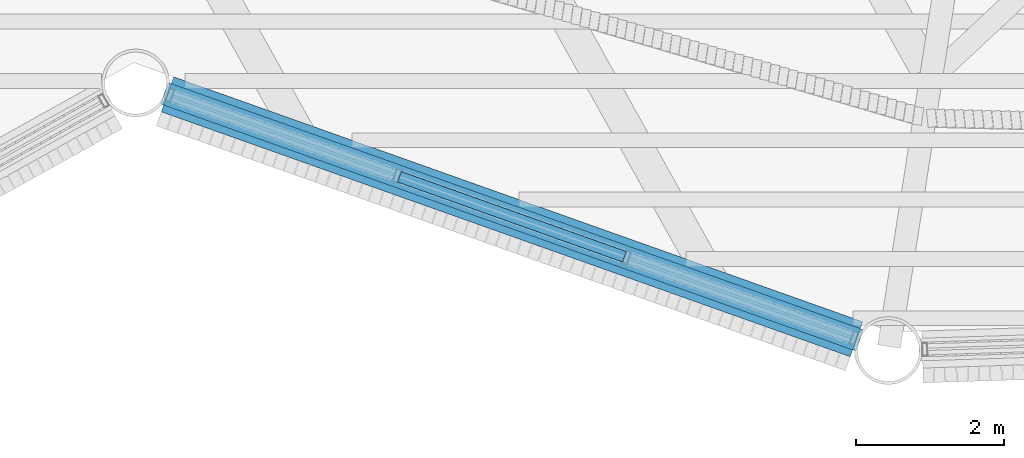
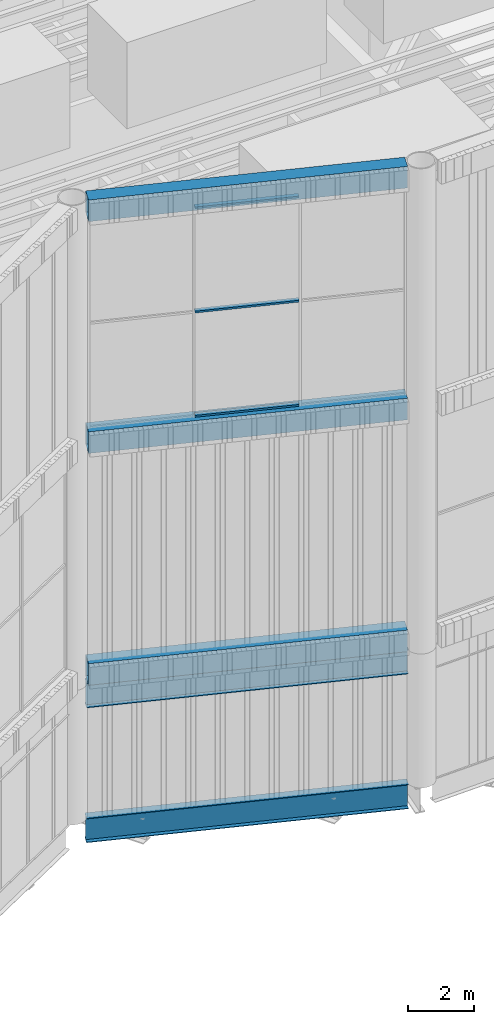
# One storey, part 25 of 117: 5 beams, 3 members, 1 element without a shape of its own.
"""IFC4 building model written with IfcOpenShell, lengths in metres."""

from ifc_helpers import new_model, si_unit, direction, frame, origin, origin_2d, place, context, subcontext, project, spatial, hollow_rectangle, i_section, extrude, material, layer, layer_set, material_profile, profile_set, type_object, element, aggregate, save


model = new_model("IFC4")

# Units and contexts
model_context = context("Model", 3, precision=1e-05, world=origin(), true_north=direction((0.0, 1.0)))
body_context = subcontext(model_context, "Body", "Model", "MODEL_VIEW")
ifc_project = project(units=[si_unit("LENGTHUNIT", "METRE"), si_unit("AREAUNIT", "SQUARE_METRE"), si_unit("VOLUMEUNIT", "CUBIC_METRE"), si_unit("PLANEANGLEUNIT", "RADIAN"), si_unit("MASSUNIT", "GRAM", prefix="KILO")], contexts=[model_context])

# Site, building, storey
site_placement = place(None, origin())
site = spatial("IfcSite", under=ifc_project, at=site_placement, CompositionType="ELEMENT")
building_placement = place(site_placement, origin())
building = spatial("IfcBuilding", under=site, at=building_placement, Name="Tarsis Ring Headquarters", CompositionType="ELEMENT")
storey_placement = place(building_placement, frame((0.0, 0.0, 403.60009765625)))
storey = spatial("IfcBuildingStorey", under=building, at=storey_placement, Name="L95", CompositionType="ELEMENT", Elevation=403.60009765625)

# Beams
ifc_material_1 = material(Name="Structural steel S355", Category="steel")
ifc_material_profile_1 = material_profile(ifc_material_1, hollow_rectangle(XDim=0.5, YDim=0.800048828125, WallThickness=0.030029296875, at=origin_2d()), Name="RHS 800x500x30")
ifc_profile_set_1 = profile_set([ifc_material_profile_1], Name="Structural steel S355")
beam_type_1 = type_object("IfcBeamType", Name="Crown frame ring beam RHS 800x500x30", PredefinedType="BEAM", material=ifc_profile_set_1)
for number, where, z_axis, x_axis, name in (
    (1, (-14.203369140625, -25.24609375, 5.39990234375), (0.942257418268, -0.334889470899, 0.0), (0.334889470899, 0.942257418268, 0.0), "Crown frame ring beam R20"),
    (2, (-14.203369140625, -25.24609375, 14.0), (0.942257418268, -0.334889470899, 0.0), (0.334889470899, 0.942257418268, 0.0), "Crown frame ring beam M20"),
    (3, (-14.203369140625, -25.24609375, 22.599853515625), (0.942257418268, -0.334889470899, 0.0), (0.334889470899, 0.942257418268, 0.0), "Crown frame ring beam T20"),
):
    element("IfcBeam", number, at=place(storey_placement, frame(where, z_axis=z_axis, x_axis=x_axis)), inside=storey, type_object=beam_type_1, Name=name, PredefinedType="BEAM", context=body_context, shape_type="SweptSolid", body=[
        extrude(hollow_rectangle(XDim=0.5, YDim=0.800048828125, WallThickness=0.030029296875, at=origin_2d()), origin(), (0.0, 0.0, 1.0), 9.85791015625),
    ])

# Curtain wall, members
ifc_material_2 = material(Name="Aluminium curtain wall", Category="aluminium")
ifc_layer = layer(ifc_material_2, 0.179931640625)
ifc_layer_set = layer_set([ifc_layer], Name="Curtain wall crown glazing")
curtain_wall_type = type_object("IfcCurtainWallType", Name="Curtain wall crown glazing", PredefinedType="NOTDEFINED", material=ifc_layer_set)
curtain_wall_placement = place(storey_placement, origin())
curtain_wall = element("IfcCurtainWall", 4, at=curtain_wall_placement, inside=storey, type_object=curtain_wall_type, Name="Crown glazing U20", PredefinedType="NOTDEFINED")
ifc_material_3 = material(Name="Aluminium transom", Category="aluminium")
ifc_material_profile_2 = material_profile(ifc_material_3, hollow_rectangle(XDim=0.14990234375, YDim=0.070068359375, WallThickness=0.0048828125, at=origin_2d()), Name="RHS 150x70x5")
ifc_profile_set_2 = profile_set([ifc_material_profile_2], Name="Aluminium transom")
member_type = type_object("IfcMemberType", Name="Crown glazing transom RHS 150x70x5", PredefinedType="USERDEFINED", material=ifc_profile_set_2)
member_1_placement = place(storey_placement, frame((-11.073974609375, -26.358154296875, 14.434814453125), z_axis=(0.942233859929, -0.334955748127, 0.0), x_axis=(0.334955748127, 0.942233859929, 0.0)))
member_1 = element("IfcMember", 5, at=member_1_placement, type_object=member_type, Name="CW-C transom 2.1", ObjectType="TRANSOM", PredefinedType="USERDEFINED", context=body_context, shape_type="SweptSolid", body=[
    extrude(hollow_rectangle(XDim=0.14990234375, YDim=0.070068359375, WallThickness=0.0048828125, at=origin_2d()), origin(), (0.0, 0.0, 1.0), 3.2158203125),
])
member_2_placement = place(storey_placement, frame((-11.073974609375, -26.358154296875, 18.2998046875), z_axis=(0.942233859929, -0.334955748127, 0.0), x_axis=(0.334955748127, 0.942233859929, 0.0)))
member_2 = element("IfcMember", 6, at=member_2_placement, type_object=member_type, Name="CW-C transom 2.2", ObjectType="TRANSOM", PredefinedType="USERDEFINED", context=body_context, shape_type="SweptSolid", body=[
    extrude(hollow_rectangle(XDim=0.14990234375, YDim=0.070068359375, WallThickness=0.0048828125, at=origin_2d()), origin(), (0.0, 0.0, 1.0), 3.2158203125),
])
member_3_placement = place(storey_placement, frame((-11.073974609375, -26.358154296875, 22.164794921875), z_axis=(0.942233859929, -0.334955748127, 0.0), x_axis=(0.334955748127, 0.942233859929, 0.0)))
member_3 = element("IfcMember", 7, at=member_3_placement, type_object=member_type, Name="CW-C transom 2.3", ObjectType="TRANSOM", PredefinedType="USERDEFINED", context=body_context, shape_type="SweptSolid", body=[
    extrude(hollow_rectangle(XDim=0.14990234375, YDim=0.070068359375, WallThickness=0.0048828125, at=origin_2d()), origin(), (0.0, 0.0, 1.0), 3.2158203125),
])
aggregate(curtain_wall, [member_1, member_2, member_3])

# Beams
ifc_material_profile_3 = material_profile(ifc_material_1, i_section(OverallWidth=0.3046875, OverallDepth=0.904296875, WebThickness=0.01513671875, FlangeThickness=0.02001953125, at=origin_2d()), Name="W36x135")
ifc_profile_set_3 = profile_set([ifc_material_profile_3], Name="Structural steel S355")
beam_type_2 = type_object("IfcBeamType", Name="XG Ring girder W36x135", PredefinedType="BEAM", material=ifc_profile_set_3)
for number, where, z_axis, x_axis, name in (
    (8, (-14.24609375, -25.23095703125, -0.4521484375), (0.94226322251, -0.334873139421, 0.0), (0.334873139421, 0.94226322251, 0.0), "Ring girder XG5"),
    (9, (-14.24609375, -25.23095703125, 4.5478515625), (0.94226322251, -0.334873139421, 0.0), (0.334873139421, 0.94226322251, 0.0), "Ring girder XG5"),
):
    element("IfcBeam", number, at=place(storey_placement, frame(where, z_axis=z_axis, x_axis=x_axis)), inside=storey, type_object=beam_type_2, Name=name, PredefinedType="BEAM", context=body_context, shape_type="SweptSolid", body=[
        extrude(i_section(OverallWidth=0.3046875, OverallDepth=0.904296875, WebThickness=0.01513671875, FlangeThickness=0.02001953125, at=origin_2d()), origin(), (0.0, 0.0, 1.0), 9.94873046875),
    ])

save(model, "model.ifc")
